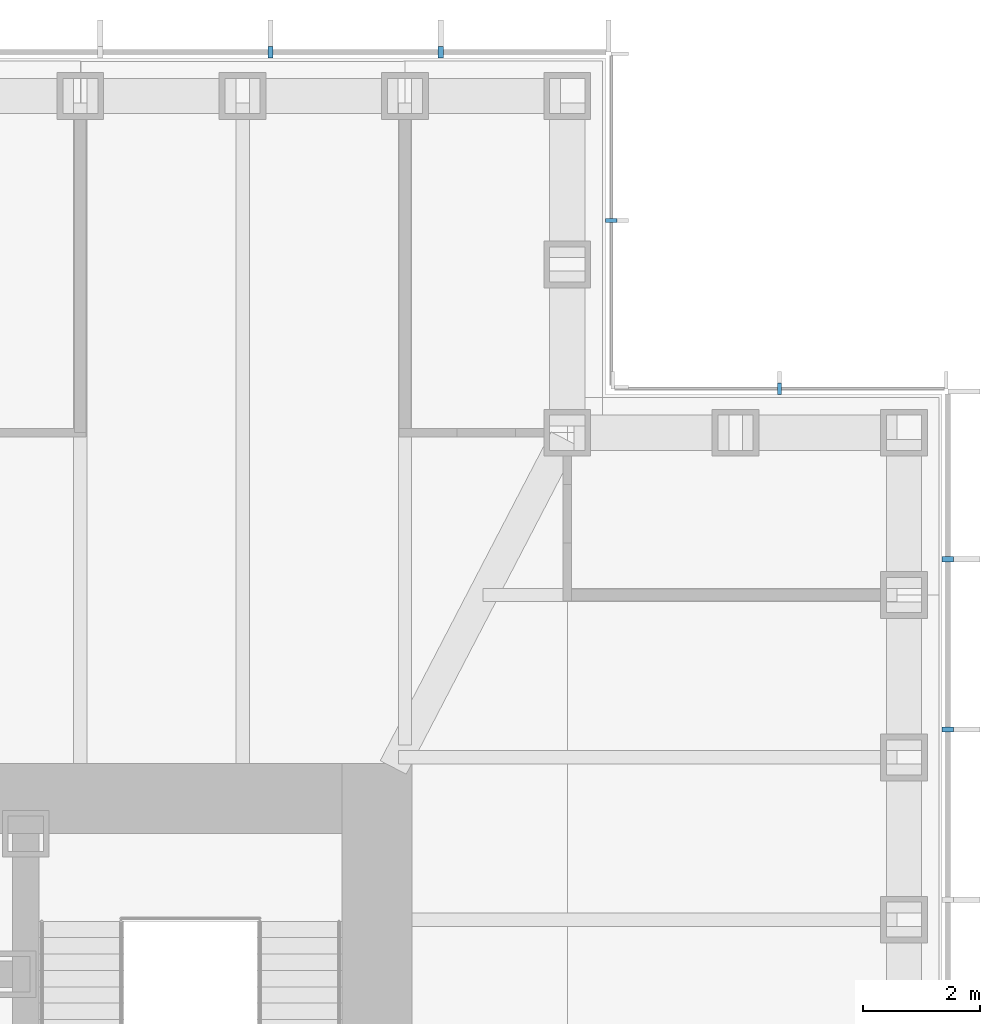
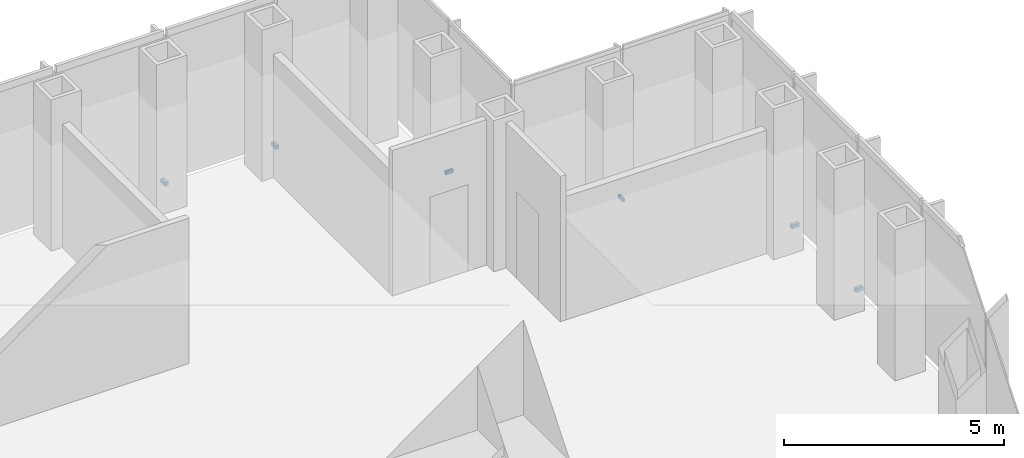
# One storey, part 15 of 16: 6 discrete accessories.
"""IFC4 building model written with IfcOpenShell, lengths in metres."""

import ifcopenshell
import ifcopenshell.guid

model = None  # the IFC model being written
_history = None  # IfcOwnerHistory: only IFC2X3 demands one
_inside = {}  # id of a spatial element -> (the spatial element, [elements in it])
_under = {}  # id of a project, library or spatial element -> (it, [spatial elements below it])
_declared = {}  # id of a project -> (the project, [libraries it declares])
_typed = {}  # id of a type object -> (the type object, [elements of that type])
_made_of = {}  # id of a material, layer set ... -> (it, [elements and type objects made of it])


def new_model(schema):
    """Start an empty IFC model of exactly this schema.

    Asked for "IFC4X3", IfcOpenShell would pick the latest addendum, in which some entities
    have other attributes; the version numbers below select the first issue.
    IFC2X3 requires an IfcOwnerHistory on every rooted entity: one is made here for all.
    """
    global model, _history
    if schema == "IFC4X3":
        model = ifcopenshell.file(schema_version=(4, 3, 0, 0))
    else:
        model = ifcopenshell.file(schema=schema)
    _inside.clear()
    _under.clear()
    _declared.clear()
    _typed.clear()
    _made_of.clear()
    _history = None
    if model.schema == "IFC2X3":
        org = make("IfcOrganization", Name="unknown")
        user = make(
            "IfcPersonAndOrganization",
            ThePerson=make("IfcPerson", FamilyName="unknown"),
            TheOrganization=org,
        )
        app = make(
            "IfcApplication",
            ApplicationDeveloper=org,
            Version="unknown",
            ApplicationFullName="unknown",
            ApplicationIdentifier="unknown",
        )
        _history = make(
            "IfcOwnerHistory",
            OwningUser=user,
            OwningApplication=app,
            ChangeAction="ADDED",
            CreationDate=0,
        )
    return model


def make(cls, **values):
    """One entity of the class cls with the attributes given. An attribute that is None is left unset."""
    return model.create_entity(
        cls, **{name: value for name, value in values.items() if value is not None}
    )


def rooted(cls, **values):
    """An entity with a GlobalId (a new one), such as an element, a storey or a relation."""
    return make(cls, GlobalId=ifcopenshell.guid.new(), OwnerHistory=_history, **values)


def si_unit(unit_type, name, prefix=None):
    """IfcSIUnit, for example si_unit("LENGTHUNIT", "METRE", prefix="MILLI")."""
    return make("IfcSIUnit", UnitType=unit_type, Prefix=prefix, Name=name)


def assignment(units):
    """IfcUnitAssignment: the units of a project."""
    return None if units is None else make("IfcUnitAssignment", Units=units)


def point(xyz):
    """IfcCartesianPoint."""
    return None if xyz is None else make("IfcCartesianPoint", Coordinates=xyz)


def direction(xyz):
    """IfcDirection."""
    return None if xyz is None else make("IfcDirection", DirectionRatios=xyz)


def frame(location, z_axis=None, x_axis=None):
    """IfcAxis2Placement3D, a coordinate frame: its origin and axes. An axis left out is left unset."""
    return make(
        "IfcAxis2Placement3D",
        Location=point(location),
        Axis=direction(z_axis),
        RefDirection=direction(x_axis),
    )


def frame_2d(location, x_axis=None):
    """IfcAxis2Placement2D, a coordinate frame in the plane: its origin and x axis."""
    return make(
        "IfcAxis2Placement2D", Location=point(location), RefDirection=direction(x_axis)
    )


def origin():
    """The frame at (0, 0, 0) with its axes left unset."""
    return frame((0.0, 0.0, 0.0))


def origin_2d():
    """The frame at (0, 0) in the plane with its x axis left unset."""
    return frame_2d((0.0, 0.0))


def place(relative_to, where):
    """IfcLocalPlacement: puts the frame where relative to a parent placement (None: the world)."""
    return make(
        "IfcLocalPlacement", PlacementRelTo=relative_to, RelativePlacement=where
    )


def context(
    kind, dimensions, precision=None, world=None, true_north=None, identifier=None
):
    """IfcGeometricRepresentationContext, for example the 3D "Model" context."""
    return make(
        "IfcGeometricRepresentationContext",
        ContextIdentifier=identifier,
        ContextType=kind,
        CoordinateSpaceDimension=dimensions,
        Precision=precision,
        WorldCoordinateSystem=world,
        TrueNorth=true_north,
    )


def subcontext(parent, identifier, kind, view, scale=None):
    """IfcGeometricRepresentationSubContext, for example "Body" below "Model"."""
    return make(
        "IfcGeometricRepresentationSubContext",
        ContextIdentifier=identifier,
        ContextType=kind,
        ParentContext=parent,
        TargetScale=scale,
        TargetView=view,
    )


def project(units=None, contexts=None):
    """IfcProject with its units and contexts."""
    return rooted(
        "IfcProject",
        Name="project",
        RepresentationContexts=contexts,
        UnitsInContext=assignment(units),
    )


def spatial(cls, under=None, at=None, **own):
    """A site, building, storey or space (cls), placed at a placement, below another one or the project."""
    s = rooted(cls, ObjectPlacement=at, **own)
    if under is not None:
        _under.setdefault(under.id(), (under, []))[1].append(s)
    return s


def profile(cls, at=None, kind="AREA", **sizes):
    """A parametric profile (cls). Its sizes go by their IFC names, for example OverallWidth=200.0."""
    return make(cls, ProfileType=kind, Position=at, **sizes)


def rectangle(**sizes):
    """IfcRectangleProfileDef."""
    return profile("IfcRectangleProfileDef", **sizes)


def extrude(swept, where, along, depth):
    """IfcExtrudedAreaSolid: the profile swept, set in the frame where, extruded along a direction by depth."""
    return make(
        "IfcExtrudedAreaSolid",
        SweptArea=swept,
        Position=where,
        ExtrudedDirection=direction(along),
        Depth=depth,
    )


def shape(context_of_items, identifier, shape_type, items):
    """IfcShapeRepresentation: the items that make up one representation, for example the "Body"."""
    return make(
        "IfcShapeRepresentation",
        ContextOfItems=context_of_items,
        RepresentationIdentifier=identifier,
        RepresentationType=shape_type,
        Items=items,
    )


def made_of(thing, what):
    """Note that an element or type object is made of a material, layer set ...; save() writes the relation."""
    if what is not None:
        _made_of.setdefault(what.id(), (what, []))[1].append(thing)
    return thing


def element(
    cls,
    number,
    at=None,
    inside=None,
    cuts=None,
    type_object=None,
    material=None,
    context=None,
    identifier="Body",
    shape_type=None,
    held_by="IfcProductDefinitionShape",
    body=None,
    shapes=None,
    **own,
):
    """One element of the class cls, such as IfcWall. Its Tag is "e" and its number.

    at: its placement. inside: the storey or other place that contains it. cuts: it is an
    opening in that element (IfcRelVoidsElement). A single representation is given by context,
    identifier, shape_type and body (its items); several are given by shapes. held_by: the class
    of the entity that holds the representations. save() writes the other relations.
    """
    e = rooted(cls, Tag="e%d" % number, ObjectPlacement=at, **own)
    if body is not None:
        shapes = [shape(context, identifier, shape_type, body)]
    if shapes is not None:
        e.Representation = make(held_by, Representations=shapes)
    if inside is not None:
        _inside.setdefault(inside.id(), (inside, []))[1].append(e)
    if cuts is not None:
        rooted(
            "IfcRelVoidsElement", RelatingBuildingElement=cuts, RelatedOpeningElement=e
        )
    if type_object is not None:
        _typed.setdefault(type_object.id(), (type_object, []))[1].append(e)
    return made_of(e, material)


def aggregate(whole, parts):
    """IfcRelAggregates: a whole, such as a stair, and the parts it consists of."""
    return rooted("IfcRelAggregates", RelatingObject=whole, RelatedObjects=parts)


def save(model, path):
    """Write the relations noted so far, then the file.

    IfcRelAggregates (storeys below a building ...), IfcRelContainedInSpatialStructure (elements
    in a storey), IfcRelDefinesByType, IfcRelAssociatesMaterial and IfcRelDeclares: one each for
    every whole, place, type object, material and project.
    """
    for whole, parts in _under.values():
        aggregate(whole, parts)
    for where, things in _inside.values():
        rooted(
            "IfcRelContainedInSpatialStructure",
            RelatedElements=things,
            RelatingStructure=where,
        )
    for kind, things in _typed.values():
        rooted("IfcRelDefinesByType", RelatedObjects=things, RelatingType=kind)
    for what, things in _made_of.values():
        rooted("IfcRelAssociatesMaterial", RelatedObjects=things, RelatingMaterial=what)
    for by, libraries in _declared.values():
        rooted("IfcRelDeclares", RelatingContext=by, RelatedDefinitions=libraries)
    model.write(path)


model = new_model("IFC4")

# Units and contexts
model_context = context("Model", 3, precision=1e-05, world=origin(), true_north=direction((0.0, 1.0)))
body_context = subcontext(model_context, "Body", "Model", "MODEL_VIEW")
ifc_project = project(units=[si_unit("LENGTHUNIT", "METRE"), si_unit("AREAUNIT", "SQUARE_METRE"), si_unit("VOLUMEUNIT", "CUBIC_METRE"), si_unit("PLANEANGLEUNIT", "RADIAN"), si_unit("MASSUNIT", "GRAM", prefix="KILO")], contexts=[model_context])

# Site, building, storey
site_placement = place(None, origin())
site = spatial("IfcSite", under=ifc_project, at=site_placement, CompositionType="ELEMENT")
building_placement = place(site_placement, origin())
building = spatial("IfcBuilding", under=site, at=building_placement, Name="Daluyong Arena Tower", CompositionType="ELEMENT")
storey_placement = place(building_placement, frame((0.0, 0.0, 262.89990234375)))
storey = spatial("IfcBuildingStorey", under=building, at=storey_placement, Name="L59", CompositionType="ELEMENT", Elevation=262.89990234375)

# Discrete accessories
for number, where, z_axis, x_axis, name in (
    (1, (77.75, 90.181884765625, -0.099853515625), (0.0, 0.0, 1.0), (0.0, 1.0, 0.0), "curtain wall L59 E anchor bracket 10"),
    (2, (77.75, 93.0908203125, -0.099853515625), (0.0, 0.0, 1.0), (0.0, 1.0, 0.0), "curtain wall L59 E anchor bracket 11"),
):
    element("IfcDiscreteAccessory", number, at=place(storey_placement, frame(where, z_axis=z_axis, x_axis=x_axis)), inside=storey, Name=name, PredefinedType="BRACKET", context=body_context, shape_type="SweptSolid", body=[
        extrude(rectangle(XDim=0.090087890625, YDim=0.199951171875, at=origin_2d()), origin(), (0.0, 0.0, 1.0), 0.10009765625),
    ])
for number, where, z_axis, x_axis, name in (
    (3, (74.875, 96.0, -0.099853515625), (0.0, 0.0, 1.0), (-1.0, 0.0, 0.0), "curtain wall L59 NE-N anchor bracket 2"),
    (4, (72.0, 98.875, -0.099853515625), (0.0, 0.0, 1.0), (0.0, 1.0, 0.0), "curtain wall L59 NE-E anchor bracket 2"),
):
    element("IfcDiscreteAccessory", number, at=place(storey_placement, frame(where, z_axis=z_axis, x_axis=x_axis)), inside=storey, Name=name, PredefinedType="BRACKET", context=body_context, shape_type="SweptSolid", body=[
        extrude(rectangle(XDim=0.06005859375, YDim=0.199951171875, at=origin_2d()), origin(), (0.0, 0.0, 1.0), 0.10009765625),
    ])
for number, where, z_axis, x_axis, name in (
    (5, (69.0908203125, 101.75, -0.099853515625), (0.0, 0.0, 1.0), (-1.0, 0.0, 0.0), "curtain wall L59 N anchor bracket 2"),
    (6, (66.181884765625, 101.75, -0.099853515625), (0.0, 0.0, 1.0), (-1.0, 0.0, 0.0), "curtain wall L59 N anchor bracket 3"),
):
    element("IfcDiscreteAccessory", number, at=place(storey_placement, frame(where, z_axis=z_axis, x_axis=x_axis)), inside=storey, Name=name, PredefinedType="BRACKET", context=body_context, shape_type="SweptSolid", body=[
        extrude(rectangle(XDim=0.090087890625, YDim=0.199951171875, at=origin_2d()), origin(), (0.0, 0.0, 1.0), 0.10009765625),
    ])

save(model, "model.ifc")
